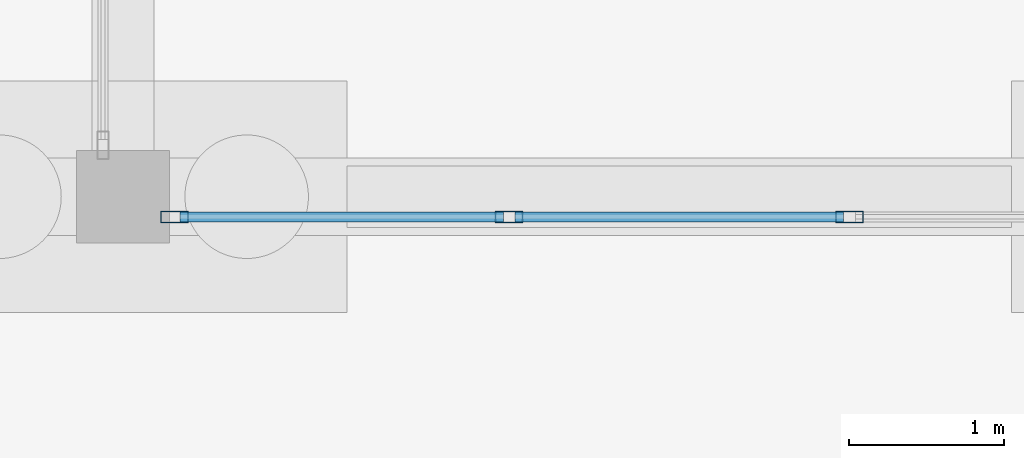
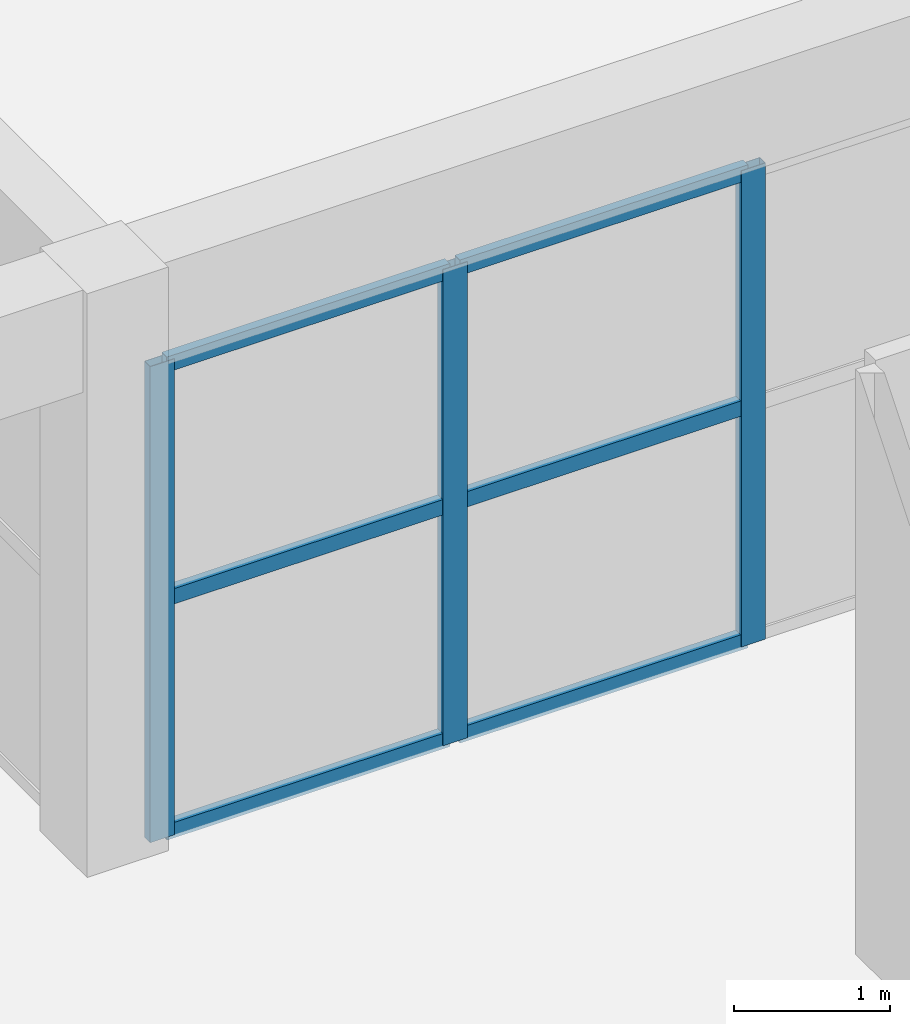
# One storey, part 29 of 155: 9 members, 1 element without a shape of its own.
"""IFC4 building model written with IfcOpenShell, lengths in metres."""

from ifc_helpers import new_model, si_unit, direction, frame, origin, origin_2d, place, context, subcontext, project, spatial, hollow_rectangle, extrude, material, material_profile, profile_set, type_object, element, aggregate, save


model = new_model("IFC4")

# Units and contexts
model_context = context("Model", 3, precision=1e-05, world=origin(), true_north=direction((0.0, 1.0)))
body_context = subcontext(model_context, "Body", "Model", "MODEL_VIEW")
ifc_project = project(units=[si_unit("LENGTHUNIT", "METRE"), si_unit("AREAUNIT", "SQUARE_METRE"), si_unit("VOLUMEUNIT", "CUBIC_METRE"), si_unit("PLANEANGLEUNIT", "RADIAN"), si_unit("MASSUNIT", "GRAM", prefix="KILO")], contexts=[model_context])

# Site, building, storey
site_placement = place(None, origin())
site = spatial("IfcSite", under=ifc_project, at=site_placement, CompositionType="ELEMENT")
building_placement = place(site_placement, origin())
building = spatial("IfcBuilding", under=site, at=building_placement, Name="Bramvelor Terrace Health Centre", CompositionType="ELEMENT")
storey_placement = place(building_placement, origin())
storey = spatial("IfcBuildingStorey", under=building, at=storey_placement, Name="L01", CompositionType="ELEMENT", Elevation=0.0)

# Curtain wall, members
ifc_material_1 = material(Name="Anodized aluminium and double low-E glass", Category="aluminium")
curtain_wall_type = type_object("IfcCurtainWallType", Name="CW-SYS-02", PredefinedType="NOTDEFINED", material=ifc_material_1)
curtain_wall_placement = place(storey_placement, origin())
curtain_wall = element("IfcCurtainWall", 1, at=curtain_wall_placement, inside=storey, type_object=curtain_wall_type, Name="L01 Unitized Curtain Wall 60", PredefinedType="NOTDEFINED")
ifc_material_2 = material(Name="Anodized aluminium 6063-T6", Category="aluminium")
ifc_material_profile_1 = material_profile(ifc_material_2, hollow_rectangle(XDim=0.074951171875, YDim=0.179931640625, WallThickness=0.00341796875, at=origin_2d()), Name="ALU-MUL 75x180x3.5")
ifc_profile_set_1 = profile_set([ifc_material_profile_1], Name="Anodized aluminium 6063-T6")
member_type_1 = type_object("IfcMemberType", Name="CW-MUL-65x180", PredefinedType="MULLION", material=ifc_profile_set_1)
member_1_placement = place(storey_placement, frame((57.9326171875, 50.27001953125, 0.0), z_axis=(0.0, 0.0, 1.0), x_axis=(0.0, 1.0, 0.0)))
member_1 = element("IfcMember", 2, at=member_1_placement, type_object=member_type_1, Name="CW-02 mullion 1", PredefinedType="MULLION", context=body_context, shape_type="SweptSolid", body=[
    extrude(hollow_rectangle(XDim=0.074951171875, YDim=0.179931640625, WallThickness=0.00341796875, at=origin_2d()), origin(), (0.0, 0.0, 1.0), 3.719970703125),
])
member_2_placement = place(storey_placement, frame((60.098388671875, 50.27001953125, 0.0), z_axis=(0.0, 0.0, 1.0), x_axis=(0.0, 1.0, 0.0)))
member_2 = element("IfcMember", 3, at=member_2_placement, type_object=member_type_1, Name="CW-02 mullion 2", PredefinedType="MULLION", context=body_context, shape_type="SweptSolid", body=[
    extrude(hollow_rectangle(XDim=0.074951171875, YDim=0.179931640625, WallThickness=0.00341796875, at=origin_2d()), origin(), (0.0, 0.0, 1.0), 3.719970703125),
])
member_3_placement = place(storey_placement, frame((62.3017578125, 50.27001953125, 0.0), z_axis=(0.0, 0.0, 1.0), x_axis=(0.0, 1.0, 0.0)))
member_3 = element("IfcMember", 4, at=member_3_placement, type_object=member_type_1, Name="CW-02 mullion 3", PredefinedType="MULLION", context=body_context, shape_type="SweptSolid", body=[
    extrude(hollow_rectangle(XDim=0.074951171875, YDim=0.179931640625, WallThickness=0.00341796875, at=origin_2d()), origin(), (0.0, 0.0, 1.0), 3.719970703125),
])
ifc_material_3 = material(Name="Anodized aluminium 6063-T6", Category="aluminium")
ifc_material_profile_2 = material_profile(ifc_material_3, hollow_rectangle(XDim=0.06494140625, YDim=0.1201171875, WallThickness=0.0029296875, at=origin_2d()), Name="ALU-TRN 65x120x3.0")
ifc_profile_set_2 = profile_set([ifc_material_profile_2], Name="Anodized aluminium 6063-T6")
member_type_2 = type_object("IfcMemberType", Name="CW-TRN-65x150", PredefinedType="USERDEFINED", material=ifc_profile_set_2)
member_4_placement = place(storey_placement, frame((57.969970703125, 50.27001953125, 0.032470703125), z_axis=(1.0, 0.0, 0.0), x_axis=(0.0, 1.0, 0.0)))
member_4 = element("IfcMember", 5, at=member_4_placement, type_object=member_type_2, Name="CW-02 transom 1.1", ObjectType="TRANSOM", PredefinedType="USERDEFINED", context=body_context, shape_type="SweptSolid", body=[
    extrude(hollow_rectangle(XDim=0.06494140625, YDim=0.1201171875, WallThickness=0.0029296875, at=origin_2d()), origin(), (0.0, 0.0, 1.0), 2.0908203125),
])
member_5_placement = place(storey_placement, frame((57.969970703125, 50.27001953125, 1.860107421875), z_axis=(1.0, 0.0, 0.0), x_axis=(0.0, 1.0, 0.0)))
member_5 = element("IfcMember", 6, at=member_5_placement, type_object=member_type_2, Name="CW-02 transom 1.2", ObjectType="TRANSOM", PredefinedType="USERDEFINED", context=body_context, shape_type="SweptSolid", body=[
    extrude(hollow_rectangle(XDim=0.06494140625, YDim=0.1201171875, WallThickness=0.0029296875, at=origin_2d()), origin(), (0.0, 0.0, 1.0), 2.0908203125),
])
member_6_placement = place(storey_placement, frame((57.969970703125, 50.27001953125, 3.6875), z_axis=(1.0, 0.0, 0.0), x_axis=(0.0, 1.0, 0.0)))
member_6 = element("IfcMember", 7, at=member_6_placement, type_object=member_type_2, Name="CW-02 transom 1.3", ObjectType="TRANSOM", PredefinedType="USERDEFINED", context=body_context, shape_type="SweptSolid", body=[
    extrude(hollow_rectangle(XDim=0.06494140625, YDim=0.1201171875, WallThickness=0.0029296875, at=origin_2d()), origin(), (0.0, 0.0, 1.0), 2.0908203125),
])
member_7_placement = place(storey_placement, frame((60.1357421875, 50.27001953125, 0.032470703125), z_axis=(1.0, 0.0, 0.0), x_axis=(0.0, 1.0, 0.0)))
member_7 = element("IfcMember", 8, at=member_7_placement, type_object=member_type_2, Name="CW-02 transom 2.1", ObjectType="TRANSOM", PredefinedType="USERDEFINED", context=body_context, shape_type="SweptSolid", body=[
    extrude(hollow_rectangle(XDim=0.06494140625, YDim=0.1201171875, WallThickness=0.0029296875, at=origin_2d()), origin(), (0.0, 0.0, 1.0), 2.12841796875),
])
member_8_placement = place(storey_placement, frame((60.1357421875, 50.27001953125, 1.860107421875), z_axis=(1.0, 0.0, 0.0), x_axis=(0.0, 1.0, 0.0)))
member_8 = element("IfcMember", 9, at=member_8_placement, type_object=member_type_2, Name="CW-02 transom 2.2", ObjectType="TRANSOM", PredefinedType="USERDEFINED", context=body_context, shape_type="SweptSolid", body=[
    extrude(hollow_rectangle(XDim=0.06494140625, YDim=0.1201171875, WallThickness=0.0029296875, at=origin_2d()), origin(), (0.0, 0.0, 1.0), 2.12841796875),
])
member_9_placement = place(storey_placement, frame((60.1357421875, 50.27001953125, 3.6875), z_axis=(1.0, 0.0, 0.0), x_axis=(0.0, 1.0, 0.0)))
member_9 = element("IfcMember", 10, at=member_9_placement, type_object=member_type_2, Name="CW-02 transom 2.3", ObjectType="TRANSOM", PredefinedType="USERDEFINED", context=body_context, shape_type="SweptSolid", body=[
    extrude(hollow_rectangle(XDim=0.06494140625, YDim=0.1201171875, WallThickness=0.0029296875, at=origin_2d()), origin(), (0.0, 0.0, 1.0), 2.12841796875),
])
aggregate(curtain_wall, [member_1, member_2, member_3, member_4, member_5, member_6, member_7, member_8, member_9])

save(model, "model.ifc")
